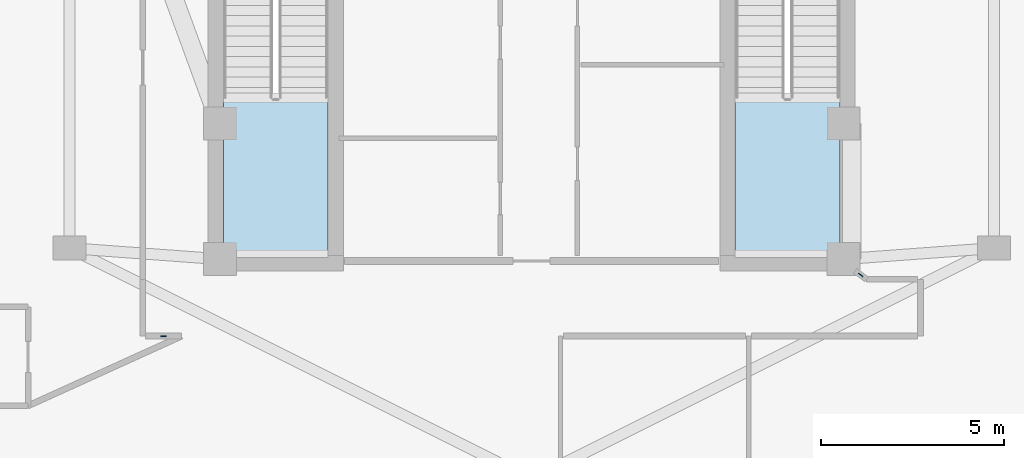
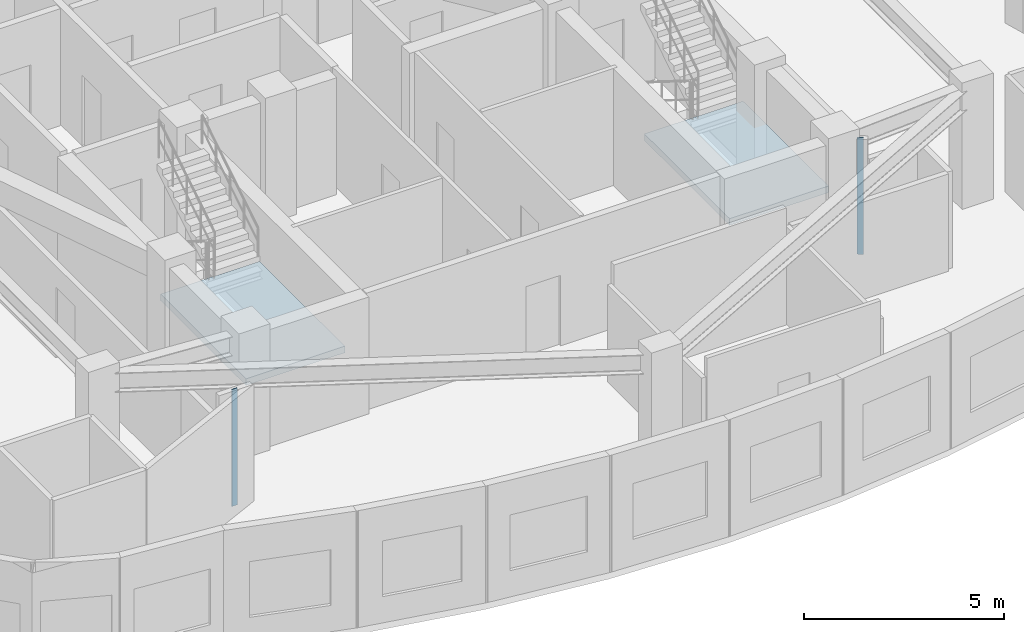
# One storey, part 2 of 9: 2 plates, 2 slabs, 2 elements without a shape of their own.
"""IFC4 building model written with IfcOpenShell, lengths in metres."""

import ifcopenshell
import ifcopenshell.guid

model = None  # the IFC model being written
_history = None  # IfcOwnerHistory: only IFC2X3 demands one
_inside = {}  # id of a spatial element -> (the spatial element, [elements in it])
_under = {}  # id of a project, library or spatial element -> (it, [spatial elements below it])
_declared = {}  # id of a project -> (the project, [libraries it declares])
_typed = {}  # id of a type object -> (the type object, [elements of that type])
_made_of = {}  # id of a material, layer set ... -> (it, [elements and type objects made of it])


def new_model(schema):
    """Start an empty IFC model of exactly this schema.

    Asked for "IFC4X3", IfcOpenShell would pick the latest addendum, in which some entities
    have other attributes; the version numbers below select the first issue.
    IFC2X3 requires an IfcOwnerHistory on every rooted entity: one is made here for all.
    """
    global model, _history
    if schema == "IFC4X3":
        model = ifcopenshell.file(schema_version=(4, 3, 0, 0))
    else:
        model = ifcopenshell.file(schema=schema)
    _inside.clear()
    _under.clear()
    _declared.clear()
    _typed.clear()
    _made_of.clear()
    _history = None
    if model.schema == "IFC2X3":
        org = make("IfcOrganization", Name="unknown")
        user = make(
            "IfcPersonAndOrganization",
            ThePerson=make("IfcPerson", FamilyName="unknown"),
            TheOrganization=org,
        )
        app = make(
            "IfcApplication",
            ApplicationDeveloper=org,
            Version="unknown",
            ApplicationFullName="unknown",
            ApplicationIdentifier="unknown",
        )
        _history = make(
            "IfcOwnerHistory",
            OwningUser=user,
            OwningApplication=app,
            ChangeAction="ADDED",
            CreationDate=0,
        )
    return model


def make(cls, **values):
    """One entity of the class cls with the attributes given. An attribute that is None is left unset."""
    return model.create_entity(
        cls, **{name: value for name, value in values.items() if value is not None}
    )


def rooted(cls, **values):
    """An entity with a GlobalId (a new one), such as an element, a storey or a relation."""
    return make(cls, GlobalId=ifcopenshell.guid.new(), OwnerHistory=_history, **values)


def si_unit(unit_type, name, prefix=None):
    """IfcSIUnit, for example si_unit("LENGTHUNIT", "METRE", prefix="MILLI")."""
    return make("IfcSIUnit", UnitType=unit_type, Prefix=prefix, Name=name)


def assignment(units):
    """IfcUnitAssignment: the units of a project."""
    return None if units is None else make("IfcUnitAssignment", Units=units)


def point(xyz):
    """IfcCartesianPoint."""
    return None if xyz is None else make("IfcCartesianPoint", Coordinates=xyz)


def direction(xyz):
    """IfcDirection."""
    return None if xyz is None else make("IfcDirection", DirectionRatios=xyz)


def frame(location, z_axis=None, x_axis=None):
    """IfcAxis2Placement3D, a coordinate frame: its origin and axes. An axis left out is left unset."""
    return make(
        "IfcAxis2Placement3D",
        Location=point(location),
        Axis=direction(z_axis),
        RefDirection=direction(x_axis),
    )


def frame_2d(location, x_axis=None):
    """IfcAxis2Placement2D, a coordinate frame in the plane: its origin and x axis."""
    return make(
        "IfcAxis2Placement2D", Location=point(location), RefDirection=direction(x_axis)
    )


def origin():
    """The frame at (0, 0, 0) with its axes left unset."""
    return frame((0.0, 0.0, 0.0))


def origin_2d():
    """The frame at (0, 0) in the plane with its x axis left unset."""
    return frame_2d((0.0, 0.0))


def place(relative_to, where):
    """IfcLocalPlacement: puts the frame where relative to a parent placement (None: the world)."""
    return make(
        "IfcLocalPlacement", PlacementRelTo=relative_to, RelativePlacement=where
    )


def context(
    kind, dimensions, precision=None, world=None, true_north=None, identifier=None
):
    """IfcGeometricRepresentationContext, for example the 3D "Model" context."""
    return make(
        "IfcGeometricRepresentationContext",
        ContextIdentifier=identifier,
        ContextType=kind,
        CoordinateSpaceDimension=dimensions,
        Precision=precision,
        WorldCoordinateSystem=world,
        TrueNorth=true_north,
    )


def subcontext(parent, identifier, kind, view, scale=None):
    """IfcGeometricRepresentationSubContext, for example "Body" below "Model"."""
    return make(
        "IfcGeometricRepresentationSubContext",
        ContextIdentifier=identifier,
        ContextType=kind,
        ParentContext=parent,
        TargetScale=scale,
        TargetView=view,
    )


def project(units=None, contexts=None):
    """IfcProject with its units and contexts."""
    return rooted(
        "IfcProject",
        Name="project",
        RepresentationContexts=contexts,
        UnitsInContext=assignment(units),
    )


def spatial(cls, under=None, at=None, **own):
    """A site, building, storey or space (cls), placed at a placement, below another one or the project."""
    s = rooted(cls, ObjectPlacement=at, **own)
    if under is not None:
        _under.setdefault(under.id(), (under, []))[1].append(s)
    return s


def polyline(points):
    """IfcPolyline through the points."""
    return make("IfcPolyline", Points=[point(p) for p in points])


def profile(cls, at=None, kind="AREA", **sizes):
    """A parametric profile (cls). Its sizes go by their IFC names, for example OverallWidth=200.0."""
    return make(cls, ProfileType=kind, Position=at, **sizes)


def rectangle(**sizes):
    """IfcRectangleProfileDef."""
    return profile("IfcRectangleProfileDef", **sizes)


def outline(outer, holes=None, kind="AREA"):
    """IfcArbitraryClosedProfileDef: a profile drawn as a closed curve; with holes, ...WithVoids."""
    if holes is None:
        return make("IfcArbitraryClosedProfileDef", ProfileType=kind, OuterCurve=outer)
    return make(
        "IfcArbitraryProfileDefWithVoids",
        ProfileType=kind,
        OuterCurve=outer,
        InnerCurves=holes,
    )


def extrude(swept, where, along, depth):
    """IfcExtrudedAreaSolid: the profile swept, set in the frame where, extruded along a direction by depth."""
    return make(
        "IfcExtrudedAreaSolid",
        SweptArea=swept,
        Position=where,
        ExtrudedDirection=direction(along),
        Depth=depth,
    )


def shape(context_of_items, identifier, shape_type, items):
    """IfcShapeRepresentation: the items that make up one representation, for example the "Body"."""
    return make(
        "IfcShapeRepresentation",
        ContextOfItems=context_of_items,
        RepresentationIdentifier=identifier,
        RepresentationType=shape_type,
        Items=items,
    )


def material(Name=None, Category=None):
    """IfcMaterial."""
    return make("IfcMaterial", Name=Name, Category=Category)


def layer(
    of_material, thickness, ventilated=None, Name=None, Category=None, Priority=None
):
    """IfcMaterialLayer: one layer of a wall or slab, of a material (None: an air gap)."""
    return make(
        "IfcMaterialLayer",
        Material=of_material,
        LayerThickness=thickness,
        IsVentilated=ventilated,
        Name=Name,
        Category=Category,
        Priority=Priority,
    )


def layer_set(layers, Name=None):
    """IfcMaterialLayerSet."""
    return make("IfcMaterialLayerSet", MaterialLayers=layers, LayerSetName=Name)


def made_of(thing, what):
    """Note that an element or type object is made of a material, layer set ...; save() writes the relation."""
    if what is not None:
        _made_of.setdefault(what.id(), (what, []))[1].append(thing)
    return thing


def type_object(cls, material=None, **own):
    """A type object (cls), such as IfcWallType, which elements share."""
    return made_of(rooted(cls, **own), material)


def element(
    cls,
    number,
    at=None,
    inside=None,
    cuts=None,
    type_object=None,
    material=None,
    context=None,
    identifier="Body",
    shape_type=None,
    held_by="IfcProductDefinitionShape",
    body=None,
    shapes=None,
    **own,
):
    """One element of the class cls, such as IfcWall. Its Tag is "e" and its number.

    at: its placement. inside: the storey or other place that contains it. cuts: it is an
    opening in that element (IfcRelVoidsElement). A single representation is given by context,
    identifier, shape_type and body (its items); several are given by shapes. held_by: the class
    of the entity that holds the representations. save() writes the other relations.
    """
    e = rooted(cls, Tag="e%d" % number, ObjectPlacement=at, **own)
    if body is not None:
        shapes = [shape(context, identifier, shape_type, body)]
    if shapes is not None:
        e.Representation = make(held_by, Representations=shapes)
    if inside is not None:
        _inside.setdefault(inside.id(), (inside, []))[1].append(e)
    if cuts is not None:
        rooted(
            "IfcRelVoidsElement", RelatingBuildingElement=cuts, RelatedOpeningElement=e
        )
    if type_object is not None:
        _typed.setdefault(type_object.id(), (type_object, []))[1].append(e)
    return made_of(e, material)


def aggregate(whole, parts):
    """IfcRelAggregates: a whole, such as a stair, and the parts it consists of."""
    return rooted("IfcRelAggregates", RelatingObject=whole, RelatedObjects=parts)


def save(model, path):
    """Write the relations noted so far, then the file.

    IfcRelAggregates (storeys below a building ...), IfcRelContainedInSpatialStructure (elements
    in a storey), IfcRelDefinesByType, IfcRelAssociatesMaterial and IfcRelDeclares: one each for
    every whole, place, type object, material and project.
    """
    for whole, parts in _under.values():
        aggregate(whole, parts)
    for where, things in _inside.values():
        rooted(
            "IfcRelContainedInSpatialStructure",
            RelatedElements=things,
            RelatingStructure=where,
        )
    for kind, things in _typed.values():
        rooted("IfcRelDefinesByType", RelatedObjects=things, RelatingType=kind)
    for what, things in _made_of.values():
        rooted("IfcRelAssociatesMaterial", RelatedObjects=things, RelatingMaterial=what)
    for by, libraries in _declared.values():
        rooted("IfcRelDeclares", RelatingContext=by, RelatedDefinitions=libraries)
    model.write(path)


model = new_model("IFC4")

# Units and contexts
model_context = context("Model", 3, precision=1e-05, world=origin(), true_north=direction((0.0, 1.0)))
body_context = subcontext(model_context, "Body", "Model", "MODEL_VIEW")
ifc_project = project(units=[si_unit("LENGTHUNIT", "METRE"), si_unit("AREAUNIT", "SQUARE_METRE"), si_unit("VOLUMEUNIT", "CUBIC_METRE"), si_unit("PLANEANGLEUNIT", "RADIAN"), si_unit("MASSUNIT", "GRAM", prefix="KILO")], contexts=[model_context])

# Site, building, storey
site_placement = place(None, origin())
site = spatial("IfcSite", under=ifc_project, at=site_placement, CompositionType="ELEMENT")
building_placement = place(site_placement, origin())
building = spatial("IfcBuilding", under=site, at=building_placement, Name="Miruveldt Soraemaru", CompositionType="ELEMENT")
storey_placement = place(building_placement, frame((0.0, 0.0, 267.39990234375)))
storey = spatial("IfcBuildingStorey", under=building, at=storey_placement, Name="L73", CompositionType="ELEMENT", Elevation=267.39990234375)

# Plates
ifc_material_1 = material(Name="Anodised aluminium EN AW-6063 T6", Category="aluminium")
ifc_layer_1 = layer(ifc_material_1, 0.02001953125, Name="Anodised aluminium EN AW-6063 T6", Category="aluminium")
ifc_layer_set_1 = layer_set([ifc_layer_1], Name="Anodised aluminium EN AW-6063 T6")
plate_type = type_object("IfcPlateType", Name="PLT-PART-TRIM", PredefinedType="SHEET", material=ifc_layer_set_1)
for number, where, z_axis, x_axis, name in (
    (1, (33.966552734375, 33.39990234375, 0.000244140625), (0.0, 0.0, 1.0), (1.0, 0.0, 0.0), "L73 Partition Step Corner Trim Plate 006"),
    (2, (52.97509765625, 35.06494140625, 0.000244140625), (0.0, 0.0, 1.0), (-0.803129547743, 0.595804439009, 0.0), "L73 Partition Step Corner Trim Plate 003"),
):
    element("IfcPlate", number, at=place(storey_placement, frame(where, z_axis=z_axis, x_axis=x_axis)), inside=storey, type_object=plate_type, Name=name, PredefinedType="SHEET", context=body_context, shape_type="SweptSolid", body=[
        extrude(rectangle(XDim=0.159912109375, YDim=0.02001953125, at=origin_2d()), origin(), (0.0, 0.0, 1.0), 3.56494140625),
    ])

# Stair, slab
ifc_material_2 = material(Name="Concrete C40/50 (40 MPa)", Category="concrete")
stair_type = type_object("IfcStairType", Name="STAIR-DL-385", PredefinedType="HALF_TURN_STAIR", material=ifc_material_2)
stair_1_placement = place(storey_placement, origin())
stair_1 = element("IfcStair", 3, at=stair_1_placement, inside=storey, type_object=stair_type, Name="L73 Protected Exit Stair ST-1", PredefinedType="HALF_TURN_STAIR")
ifc_layer_2 = layer(ifc_material_2, 0.199951171875, Name="Concrete C40/50 (40 MPa)", Category="concrete")
ifc_layer_set_2 = layer_set([ifc_layer_2], Name="Concrete C40/50 (40 MPa)")
slab_type = type_object("IfcSlabType", Name="SLAB-LAND-200", PredefinedType="LANDING", material=ifc_layer_set_2)
slab_1_placement = place(storey_placement, frame((0.0, 0.0, 1.72509765625)))
slab_1 = element("IfcSlab", 4, at=slab_1_placement, type_object=slab_type, Name="ST-1 landing 1", PredefinedType="LANDING", context=body_context, shape_type="SweptSolid", body=[
    extrude(outline(polyline([(35.60009765625, 39.91796875), (35.60009765625, 35.64990234375), (38.449951171875, 35.64990234375), (38.449951171875, 39.91796875), (35.60009765625, 39.91796875)])), origin(), (0.0, 0.0, 1.0), 0.199951171875),
])
aggregate(stair_1, [slab_1])

stair_2_placement = place(storey_placement, origin())
stair_2 = element("IfcStair", 5, at=stair_2_placement, inside=storey, type_object=stair_type, Name="L73 Protected Exit Stair ST-2", PredefinedType="HALF_TURN_STAIR")
slab_2_placement = place(storey_placement, frame((0.0, 0.0, 1.72509765625)))
slab_2 = element("IfcSlab", 6, at=slab_2_placement, type_object=slab_type, Name="ST-2 landing 1", PredefinedType="LANDING", context=body_context, shape_type="SweptSolid", body=[
    extrude(outline(polyline([(49.550048828125, 39.91796875), (49.550048828125, 35.64990234375), (52.39990234375, 35.64990234375), (52.39990234375, 39.91796875), (49.550048828125, 39.91796875)])), origin(), (0.0, 0.0, 1.0), 0.199951171875),
])
aggregate(stair_2, [slab_2])

save(model, "model.ifc")
